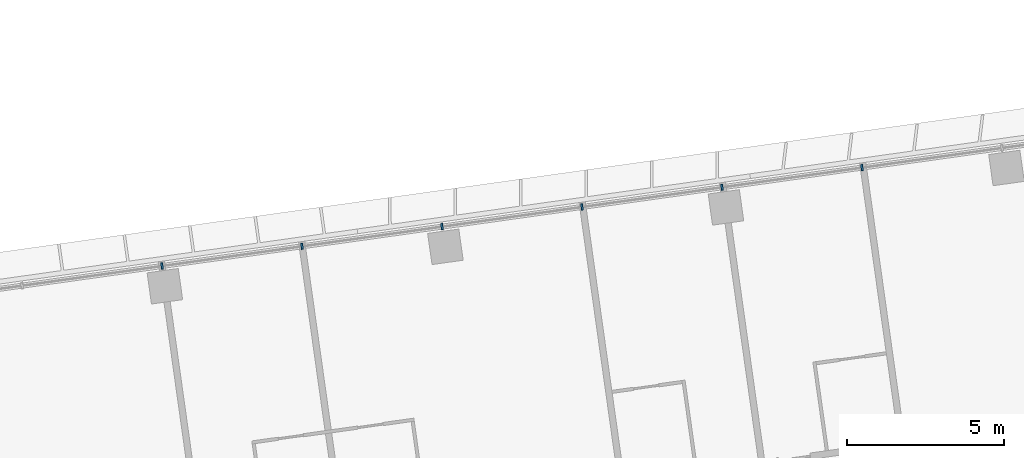
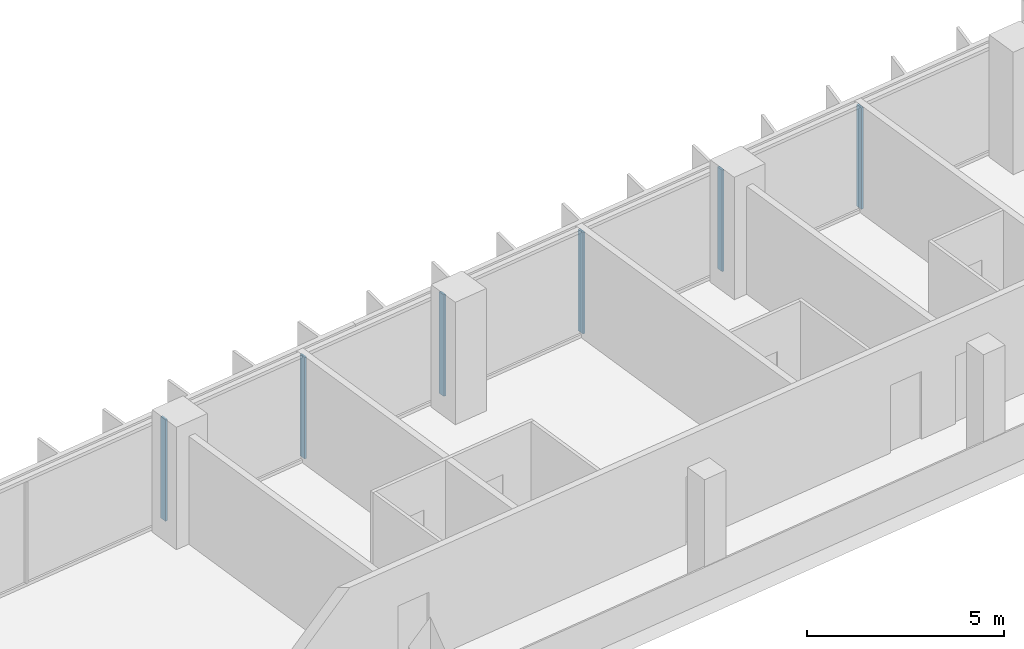
# One storey, part 10 of 24: 6 members, 1 element without a shape of its own.
"""IFC4 building model written with IfcOpenShell, lengths in metres."""

from ifc_helpers import new_model, si_unit, direction, frame, origin, origin_2d, place, context, subcontext, project, spatial, rectangle, extrude, material, material_profile, profile_set, type_object, element, aggregate, save


model = new_model("IFC4")

# Units and contexts
model_context = context("Model", 3, precision=1e-05, world=origin(), true_north=direction((0.0, 1.0)))
body_context = subcontext(model_context, "Body", "Model", "MODEL_VIEW")
ifc_project = project(units=[si_unit("LENGTHUNIT", "METRE"), si_unit("AREAUNIT", "SQUARE_METRE"), si_unit("VOLUMEUNIT", "CUBIC_METRE"), si_unit("PLANEANGLEUNIT", "RADIAN"), si_unit("MASSUNIT", "GRAM", prefix="KILO")], contexts=[model_context])

# Site, building, storey
site_placement = place(None, origin())
site = spatial("IfcSite", under=ifc_project, at=site_placement, CompositionType="ELEMENT")
building_placement = place(site_placement, origin())
building = spatial("IfcBuilding", under=site, at=building_placement, Name="Mirante Cascada Hotel Towers", CompositionType="ELEMENT")
storey_placement = place(building_placement, frame((0.0, 0.0, 81.3)))
storey = spatial("IfcBuildingStorey", under=building, at=storey_placement, Name="L17", CompositionType="ELEMENT", Elevation=81.3)

# Curtain wall, members
ifc_material_1 = material(Name="Aluminium mullion and transom frame with clear laminated glass", Category="aluminium")
curtain_wall_type = type_object("IfcCurtainWallType", Name="Ribbon curtain wall ECW1", PredefinedType="NOTDEFINED", material=ifc_material_1)
curtain_wall_placement = place(storey_placement, origin())
curtain_wall = element("IfcCurtainWall", 1, at=curtain_wall_placement, inside=storey, type_object=curtain_wall_type, Name="Front ribbon wall T2 L17", PredefinedType="NOTDEFINED")
ifc_material_2 = material(Name="Anodised aluminium extrusion", Category="aluminium")
ifc_material_profile = material_profile(ifc_material_2, rectangle(XDim=0.2, YDim=0.065, at=origin_2d()), Name="ECW1 MULLION 65x200")
ifc_profile_set = profile_set([ifc_material_profile], Name="Anodised aluminium extrusion")
member_type = type_object("IfcMemberType", Name="ECW1 mullion 65x200", PredefinedType="MULLION", material=ifc_profile_set)
member_1_placement = place(storey_placement, frame((85.2633, 24.802, 0.1), z_axis=(0.0, 0.0, 1.0), x_axis=(0.1391731, -0.9902681, 0.0)))
member_1 = element("IfcMember", 2, at=member_1_placement, type_object=member_type, Name="ECW1 mullion 3", PredefinedType="MULLION", context=body_context, shape_type="SweptSolid", body=[
    extrude(rectangle(XDim=0.2, YDim=0.065, at=origin_2d()), origin(), (0.0, 0.0, 1.0), 3.15),
])
member_2_placement = place(storey_placement, frame((80.8159, 24.177, 0.1), z_axis=(0.0, 0.0, 1.0), x_axis=(0.1391731, -0.9902681, 0.0)))
member_2 = element("IfcMember", 3, at=member_2_placement, type_object=member_type, Name="ECW1 mullion 4", PredefinedType="MULLION", context=body_context, shape_type="SweptSolid", body=[
    extrude(rectangle(XDim=0.2, YDim=0.065, at=origin_2d()), origin(), (0.0, 0.0, 1.0), 3.15),
])
member_3_placement = place(storey_placement, frame((76.3685, 23.5519, 0.1), z_axis=(0.0, 0.0, 1.0), x_axis=(0.1391731, -0.9902681, 0.0)))
member_3 = element("IfcMember", 4, at=member_3_placement, type_object=member_type, Name="ECW1 mullion 5", PredefinedType="MULLION", context=body_context, shape_type="SweptSolid", body=[
    extrude(rectangle(XDim=0.2, YDim=0.065, at=origin_2d()), origin(), (0.0, 0.0, 1.0), 3.15),
])
member_4_placement = place(storey_placement, frame((71.9211, 22.9269, 0.1), z_axis=(0.0, 0.0, 1.0), x_axis=(0.1391731, -0.9902681, 0.0)))
member_4 = element("IfcMember", 5, at=member_4_placement, type_object=member_type, Name="ECW1 mullion 6", PredefinedType="MULLION", context=body_context, shape_type="SweptSolid", body=[
    extrude(rectangle(XDim=0.2, YDim=0.065, at=origin_2d()), origin(), (0.0, 0.0, 1.0), 3.15),
])
member_5_placement = place(storey_placement, frame((67.4737, 22.3018, 0.1), z_axis=(0.0, 0.0, 1.0), x_axis=(0.1391731, -0.9902681, 0.0)))
member_5 = element("IfcMember", 6, at=member_5_placement, type_object=member_type, Name="ECW1 mullion 7", PredefinedType="MULLION", context=body_context, shape_type="SweptSolid", body=[
    extrude(rectangle(XDim=0.2, YDim=0.065, at=origin_2d()), origin(), (0.0, 0.0, 1.0), 3.15),
])
member_6_placement = place(storey_placement, frame((63.0262, 21.6768, 0.1), z_axis=(0.0, 0.0, 1.0), x_axis=(0.1391731, -0.9902681, 0.0)))
member_6 = element("IfcMember", 7, at=member_6_placement, type_object=member_type, Name="ECW1 mullion 8", PredefinedType="MULLION", context=body_context, shape_type="SweptSolid", body=[
    extrude(rectangle(XDim=0.2, YDim=0.065, at=origin_2d()), origin(), (0.0, 0.0, 1.0), 3.15),
])
aggregate(curtain_wall, [member_1, member_2, member_3, member_4, member_5, member_6])

save(model, "model.ifc")
